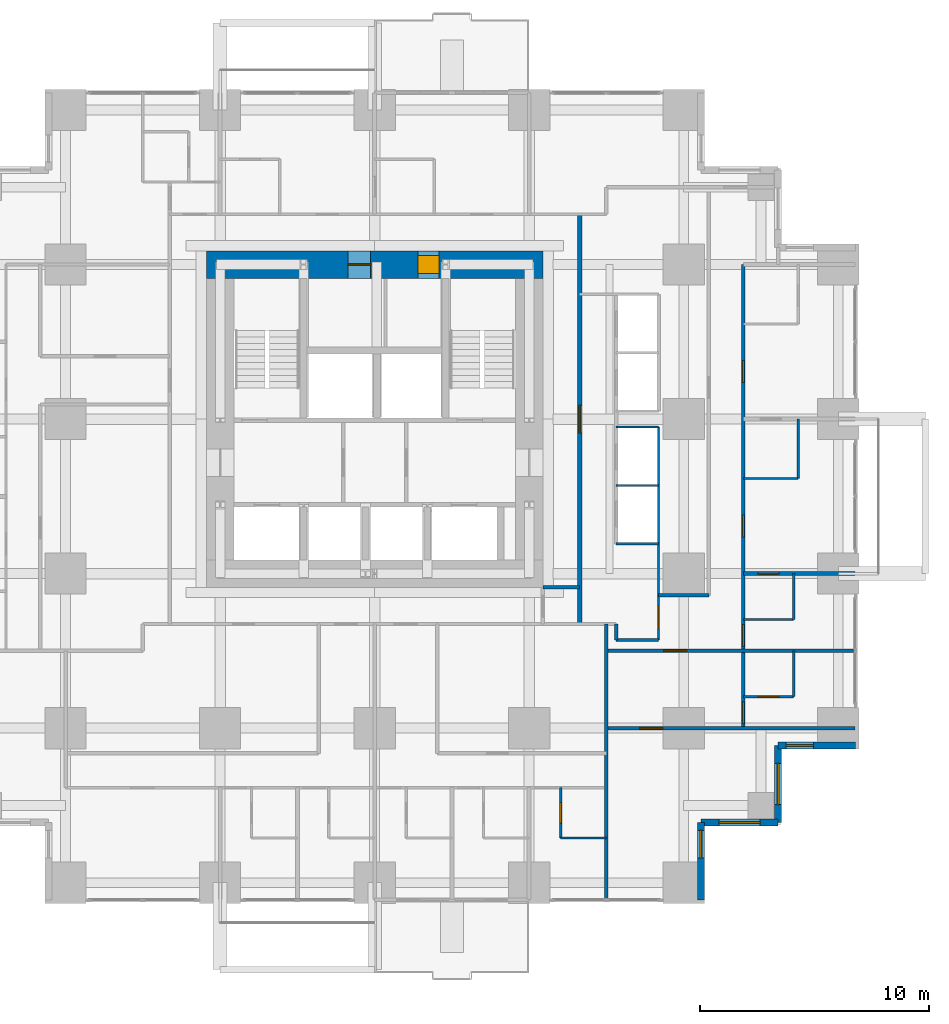
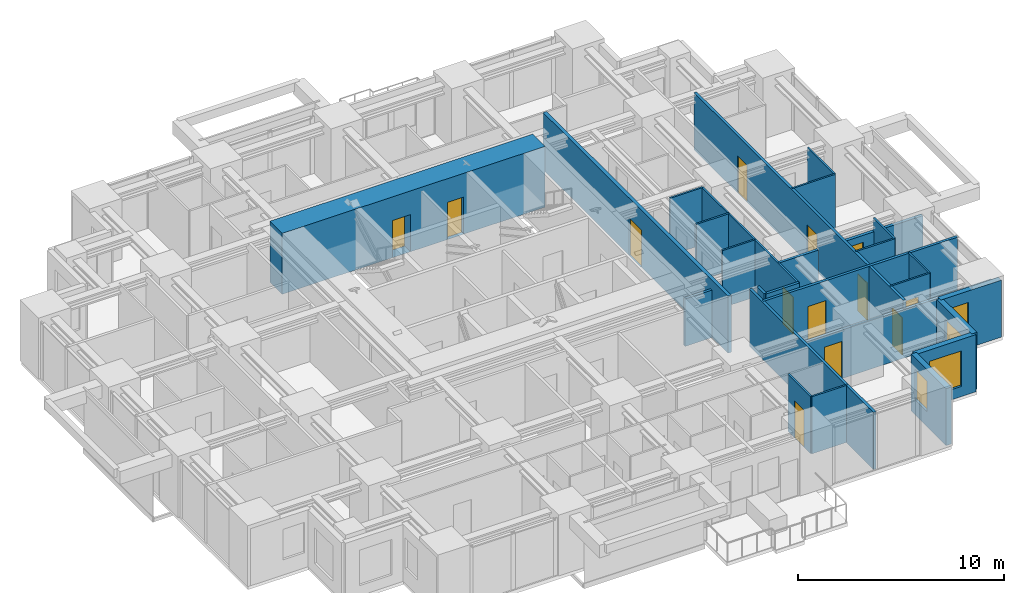
# One storey, part 9 of 12: 27 walls, 13 doors, 4 windows, 17 openings.
"""IFC4 building model written with IfcOpenShell, lengths in metres."""

from ifc_helpers import new_model, si_unit, direction, frame, frame_2d, origin, place, context, subcontext, project, spatial, rectangle, extrude, material, layer, layer_set, type_object, element, fill, save


model = new_model("IFC4")

# Units and contexts
model_context = context("Model", 3, precision=1e-05, world=origin(), true_north=direction((0.0, 1.0)))
body_context = subcontext(model_context, "Body", "Model", "MODEL_VIEW")
ifc_project = project(units=[si_unit("LENGTHUNIT", "METRE"), si_unit("AREAUNIT", "SQUARE_METRE"), si_unit("VOLUMEUNIT", "CUBIC_METRE"), si_unit("PLANEANGLEUNIT", "RADIAN"), si_unit("MASSUNIT", "GRAM", prefix="KILO")], contexts=[model_context])

# Site, building, storey
site_placement = place(None, origin())
site = spatial("IfcSite", under=ifc_project, at=site_placement, CompositionType="ELEMENT")
building_placement = place(site_placement, origin())
building = spatial("IfcBuilding", under=site, at=building_placement, Name="Nyansa Garden Tower", CompositionType="ELEMENT")
storey_placement = place(building_placement, frame((0.0, 0.0, 90.89990234375)))
storey = spatial("IfcBuildingStorey", under=building, at=storey_placement, Name="L24", CompositionType="ELEMENT", Elevation=90.89990234375)

# Wall, opening, door
ifc_material_1 = material(Name="Dense blockwork, plastered both sides, 55 dB", Category="masonry")
ifc_layer_1 = layer(ifc_material_1, 0.175048828125)
ifc_layer_set_1 = layer_set([ifc_layer_1], Name="Acoustic party wall PW175")
wall_type_1 = type_object("IfcWallType", Name="Acoustic party wall PW175", PredefinedType="PARTITIONING", material=ifc_layer_set_1)
wall_1_placement = place(storey_placement, frame((36.35009765625, 13.5, 0.0), z_axis=(0.0, 0.0, 1.0), x_axis=(1.0, 0.0, 0.0)))
wall_1 = element("IfcWall", 1, at=wall_1_placement, inside=storey, type_object=wall_type_1, Name="Party wall", PredefinedType="PARTITIONING", context=body_context, shape_type="SweptSolid", body=[
    extrude(rectangle(XDim=4.8837890625, YDim=0.175048828125, at=frame_2d((2.44189453125, 0.0))), origin(), (0.0, 0.0, 1.0), 2.610107421875),
])
opening_1_placement = place(wall_1_placement, frame((0.64990234375, 0.0, 0.0)))
opening_1 = element("IfcOpeningElement", 2, at=opening_1_placement, cuts=wall_1, Name="Opening D02", PredefinedType="OPENING", context=body_context, shape_type="SweptSolid", body=[
    extrude(rectangle(XDim=0.89990234375, YDim=2.199951171875, at=frame_2d((0.449951171875, 1.10009765625))), frame((0.0, 0.097412109375, 0.0), z_axis=(0.0, -1.0, 0.0), x_axis=(1.0, 0.0, 0.0)), (0.0, 0.0, 1.0), 0.195068359375),
])
ifc_material_2 = material(Name="Timber flush door", Category="wood")
door_type_1 = type_object("IfcDoorType", Name="En-suite door D02 900x2200", OperationType="SINGLE_SWING_RIGHT", PredefinedType="DOOR", material=ifc_material_2)
door_1_placement = place(opening_1_placement, origin())
door_1 = element("IfcDoor", 3, at=door_1_placement, inside=storey, type_object=door_type_1, Name="Door L24-041", OperationType="SINGLE_SWING_RIGHT", OverallHeight=2.199951171875, OverallWidth=0.89990234375, PredefinedType="DOOR", context=body_context, shape_type="SweptSolid", body=[
    extrude(rectangle(XDim=0.89990234375, YDim=2.199951171875, at=frame_2d((0.449951171875, 1.10009765625))), frame((0.0, 0.02490234375, 0.0), z_axis=(0.0, -1.0, 0.0), x_axis=(1.0, 0.0, 0.0)), (0.0, 0.0, 1.0), 0.050048828125),
])
fill(opening_1, door_1)

# Wall, openings, doors
ifc_material_3 = material(Name="Concrete C80/95", Category="concrete")
ifc_layer_2 = layer(ifc_material_3, 1.199951171875)
ifc_layer_set_2 = layer_set([ifc_layer_2], Name="Core wall CW1200")
wall_type_2 = type_object("IfcWallType", Name="Core wall CW1200", PredefinedType="SHEAR", material=ifc_layer_set_2)
wall_2_placement = place(storey_placement, frame((27.60009765625, 27.0, 0.0), z_axis=(0.0, 0.0, 1.0), x_axis=(-1.0, 0.0, 0.0)))
wall_2 = element("IfcWall", 4, at=wall_2_placement, inside=storey, type_object=wall_type_2, Name="Core wall N L24", PredefinedType="SHEAR", context=body_context, shape_type="SweptSolid", body=[
    extrude(rectangle(XDim=14.7001953125, YDim=1.199951171875, at=frame_2d((7.35009765625, 0.0))), origin(), (0.0, 0.0, 1.0), 3.60009765625),
])
opening_2_placement = place(wall_2_placement, frame((4.550048828125, 0.0, 0.0)))
opening_2 = element("IfcOpeningElement", 5, at=opening_2_placement, cuts=wall_2, Name="Opening D15", PredefinedType="OPENING", context=body_context, shape_type="SweptSolid", body=[
    extrude(rectangle(XDim=0.89990234375, YDim=2.199951171875, at=frame_2d((0.449951171875, 1.10009765625))), frame((0.0, 0.60986328125, 0.0), z_axis=(0.0, -1.0, 0.0), x_axis=(1.0, 0.0, 0.0)), (0.0, 0.0, 1.0), 1.219970703125),
])
opening_3_placement = place(wall_2_placement, frame((7.52490234375, 0.0, 0.0)))
opening_3 = element("IfcOpeningElement", 6, at=opening_3_placement, cuts=wall_2, Name="Opening D07", PredefinedType="OPENING", context=body_context, shape_type="SweptSolid", body=[
    extrude(rectangle(XDim=1.0, YDim=2.199951171875, at=frame_2d((0.5, 1.10009765625))), frame((0.0, 0.60986328125, 0.0), z_axis=(0.0, -1.0, 0.0), x_axis=(1.0, 0.0, 0.0)), (0.0, 0.0, 1.0), 1.219970703125),
])
ifc_material_4 = material(Name="Timber flush door, 60 minute fire resisting, self-closing", Category="wood")
door_type_2 = type_object("IfcDoorType", Name="Core room door D15 900x2200", OperationType="SINGLE_SWING_LEFT", PredefinedType="DOOR", material=ifc_material_4)
door_2_placement = place(opening_2_placement, origin())
door_2 = element("IfcDoor", 7, at=door_2_placement, inside=storey, type_object=door_type_2, Name="Core room door", OperationType="SINGLE_SWING_LEFT", OverallHeight=2.199951171875, OverallWidth=0.89990234375, PredefinedType="DOOR", context=body_context, shape_type="SweptSolid", body=[
    extrude(rectangle(XDim=0.89990234375, YDim=2.199951171875, at=frame_2d((0.449951171875, 1.10009765625))), frame((0.0, 0.39990234375, 0.0), z_axis=(0.0, -1.0, 0.0), x_axis=(1.0, 0.0, 0.0)), (0.0, 0.0, 1.0), 0.800048828125),
])
fill(opening_2, door_2)
ifc_material_5 = material(Name="Steel door, 120 minute fire resisting", Category="steel")
door_type_3 = type_object("IfcDoorType", Name="Riser door D07 1000x2200", OperationType="SINGLE_SWING_LEFT", PredefinedType="DOOR", material=ifc_material_5)
door_3_placement = place(opening_3_placement, origin())
door_3 = element("IfcDoor", 8, at=door_3_placement, inside=storey, type_object=door_type_3, Name="Riser and refuse room door", OperationType="SINGLE_SWING_LEFT", OverallHeight=2.199951171875, OverallWidth=1.0, PredefinedType="DOOR", context=body_context, shape_type="SweptSolid", body=[
    extrude(rectangle(XDim=1.0, YDim=2.199951171875, at=frame_2d((0.5, 1.10009765625))), frame((0.0, 0.02490234375, 0.0), z_axis=(0.0, -1.0, 0.0), x_axis=(1.0, 0.0, 0.0)), (0.0, 0.0, 1.0), 0.050048828125),
])
fill(opening_3, door_3)

# Wall, opening, door
ifc_material_6 = material(Name="Concrete blockwork, plastered, 60 minute fire resisting", Category="masonry")
ifc_layer_3 = layer(ifc_material_6, 0.199951171875)
ifc_layer_set_3 = layer_set([ifc_layer_3], Name="Corridor wall FW200")
wall_type_3 = type_object("IfcWallType", Name="Corridor wall FW200", PredefinedType="PARTITIONING", material=ifc_layer_set_3)
wall_3_placement = place(storey_placement, frame((29.199951171875, 11.300048828125, 0.0), z_axis=(0.0, 0.0, 1.0), x_axis=(0.0, 1.0, 0.0)))
wall_3 = element("IfcWall", 9, at=wall_3_placement, inside=storey, type_object=wall_type_3, Name="Corridor wall", PredefinedType="PARTITIONING", context=body_context, shape_type="SweptSolid", body=[
    extrude(rectangle(XDim=17.89990234375, YDim=0.199951171875, at=frame_2d((8.949951171875, 0.0))), origin(), (0.0, 0.0, 1.0), 3.375),
])
opening_4_placement = place(wall_3_placement, frame((8.35009765625, 0.0, 0.0)))
opening_4 = element("IfcOpeningElement", 10, at=opening_4_placement, cuts=wall_3, Name="Opening D06", PredefinedType="OPENING", context=body_context, shape_type="SweptSolid", body=[
    extrude(rectangle(XDim=1.199951171875, YDim=2.199951171875, at=frame_2d((0.60009765625, 1.10009765625))), frame((0.0, 0.10986328125, 0.0), z_axis=(0.0, -1.0, 0.0), x_axis=(1.0, 0.0, 0.0)), (0.0, 0.0, 1.0), 0.219970703125),
])
ifc_material_7 = material(Name="Steel door, 120 minute fire resisting", Category="steel")
door_type_4 = type_object("IfcDoorType", Name="Lobby door D06 1200x2200", OperationType="DOUBLE_DOOR_SINGLE_SWING", PredefinedType="DOOR", material=ifc_material_7)
door_4_placement = place(opening_4_placement, origin())
door_4 = element("IfcDoor", 11, at=door_4_placement, inside=storey, type_object=door_type_4, Name="Low-rise lift lobby door", OperationType="DOUBLE_DOOR_SINGLE_SWING", OverallHeight=2.199951171875, OverallWidth=1.199951171875, PredefinedType="DOOR", context=body_context, shape_type="SweptSolid", body=[
    extrude(rectangle(XDim=1.199951171875, YDim=2.199951171875, at=frame_2d((0.60009765625, 1.10009765625))), frame((0.0, 0.02490234375, 0.0), z_axis=(0.0, -1.0, 0.0), x_axis=(1.0, 0.0, 0.0)), (0.0, 0.0, 1.0), 0.050048828125),
])
fill(opening_4, door_4)

# Walls
ifc_material_8 = material(Name="Steel-stud shaft wall, two layers fire-rated board, EI 120", Category="steel")
ifc_layer_4 = layer(ifc_material_8, 0.10009765625)
ifc_layer_set_4 = layer_set([ifc_layer_4], Name="Lift shaft wall SW100")
wall_type_4 = type_object("IfcWallType", Name="Lift shaft wall SW100", PredefinedType="SHEAR", material=ifc_layer_set_4)
for number, where, z_axis, x_axis, name in (
    (12, (30.800048828125, 14.800048828125, 0.0), (0.0, 0.0, 1.0), (1.0, 0.0, 0.0), "Lift shaft wall"),
    (13, (30.800048828125, 17.35009765625, 0.0), (0.0, 0.0, 1.0), (1.0, 0.0, 0.0), "Lift shaft wall"),
    (14, (30.800048828125, 19.89990234375, 0.0), (0.0, 0.0, 1.0), (1.0, 0.0, 0.0), "Lift shaft wall"),
):
    element("IfcWall", number, at=place(storey_placement, frame(where, z_axis=z_axis, x_axis=x_axis)), inside=storey, type_object=wall_type_4, Name=name, PredefinedType="SHEAR", context=body_context, shape_type="SweptSolid", body=[
        extrude(rectangle(XDim=1.849853515625, YDim=0.10009765625, at=frame_2d((0.9248046875, 0.0))), origin(), (0.0, 0.0, 1.0), 3.375),
    ])

# Wall, opening, door
wall_4_placement = place(storey_placement, frame((32.64990234375, 10.60009765625, 0.0), z_axis=(0.0, 0.0, 1.0), x_axis=(0.0, 1.0, 0.0)))
wall_4 = element("IfcWall", 15, at=wall_4_placement, inside=storey, type_object=wall_type_4, Name="Lift shaft wall", PredefinedType="SHEAR", context=body_context, shape_type="SweptSolid", body=[
    extrude(rectangle(XDim=9.2998046875, YDim=0.10009765625, at=frame_2d((4.64990234375, 0.0))), origin(), (0.0, 0.0, 1.0), 3.375),
])
opening_5_placement = place(wall_4_placement, frame((0.5, 0.0, 0.0)))
opening_5 = element("IfcOpeningElement", 16, at=opening_5_placement, cuts=wall_4, Name="Opening D03", PredefinedType="OPENING", context=body_context, shape_type="SweptSolid", body=[
    extrude(rectangle(XDim=1.0, YDim=2.199951171875, at=frame_2d((0.5, 1.10009765625))), frame((0.0, 0.06005859375, 0.0), z_axis=(0.0, -1.0, 0.0), x_axis=(1.0, 0.0, 0.0)), (0.0, 0.0, 1.0), 0.1201171875),
])
ifc_material_9 = material(Name="Timber flush door, 60 minute fire resisting", Category="wood")
door_type_5 = type_object("IfcDoorType", Name="Cluster entrance door D03 1000x2200", OperationType="SINGLE_SWING_LEFT", PredefinedType="DOOR", material=ifc_material_9)
door_5_placement = place(opening_5_placement, origin())
door_5 = element("IfcDoor", 17, at=door_5_placement, inside=storey, type_object=door_type_5, Name="Door L24-042", OperationType="SINGLE_SWING_LEFT", OverallHeight=2.199951171875, OverallWidth=1.0, PredefinedType="DOOR", context=body_context, shape_type="SweptSolid", body=[
    extrude(rectangle(XDim=1.0, YDim=2.199951171875, at=frame_2d((0.5, 1.10009765625))), frame((0.0, 0.02490234375, 0.0), z_axis=(0.0, -1.0, 0.0), x_axis=(1.0, 0.0, 0.0)), (0.0, 0.0, 1.0), 0.050048828125),
])
fill(opening_5, door_5)

# Walls
ifc_material_10 = material(Name="Blockwork, plastered both sides", Category="masonry")
ifc_layer_5 = layer(ifc_material_10, 0.14990234375)
ifc_layer_set_5 = layer_set([ifc_layer_5], Name="Partition PW150")
wall_type_5 = type_object("IfcWallType", Name="Partition PW150", PredefinedType="PARTITIONING", material=ifc_layer_set_5)
wall_5_placement = place(storey_placement, frame((27.60009765625, 12.89990234375, 0.0), z_axis=(0.0, 0.0, 1.0), x_axis=(1.0, 0.0, 0.0)))
element("IfcWall", 18, at=wall_5_placement, inside=storey, type_object=wall_type_5, Name="Partition", PredefinedType="PARTITIONING", context=body_context, shape_type="SweptSolid", body=[
    extrude(rectangle(XDim=1.599853515625, YDim=0.14990234375, at=frame_2d((0.7998046875, 0.0))), origin(), (0.0, 0.0, 1.0), 2.80615234375),
])
wall_6_placement = place(storey_placement, frame((30.375, -0.73388671875, 0.0), z_axis=(0.0, 0.0, 1.0), x_axis=(0.0, 1.0, 0.0)))
element("IfcWall", 19, at=wall_6_placement, inside=storey, type_object=wall_type_5, Name="Partition", PredefinedType="PARTITIONING", context=body_context, shape_type="SweptSolid", body=[
    extrude(rectangle(XDim=12.033935546875, YDim=0.14990234375, at=frame_2d((6.01708984375, 0.0))), origin(), (0.0, 0.0, 1.0), 3.375),
])

# Wall, opening, door
wall_7_placement = place(storey_placement, frame((30.375, 6.75, 0.0), z_axis=(0.0, 0.0, 1.0), x_axis=(1.0, 0.0, 0.0)))
wall_7 = element("IfcWall", 20, at=wall_7_placement, inside=storey, type_object=wall_type_5, Name="Partition", PredefinedType="PARTITIONING", context=body_context, shape_type="SweptSolid", body=[
    extrude(rectangle(XDim=10.85888671875, YDim=0.14990234375, at=frame_2d((5.429443359375, 0.0))), origin(), (0.0, 0.0, 1.0), 2.877197265625),
])
opening_6_placement = place(wall_7_placement, frame((1.449951171875, 0.0, 0.0)))
opening_6 = element("IfcOpeningElement", 21, at=opening_6_placement, cuts=wall_7, Name="Opening D03", PredefinedType="OPENING", context=body_context, shape_type="SweptSolid", body=[
    extrude(rectangle(XDim=1.0, YDim=2.199951171875, at=frame_2d((0.5, 1.10009765625))), frame((0.0, 0.0849609375, 0.0), z_axis=(0.0, -1.0, 0.0), x_axis=(1.0, 0.0, 0.0)), (0.0, 0.0, 1.0), 0.169921875),
])
door_6_placement = place(opening_6_placement, origin())
door_6 = element("IfcDoor", 22, at=door_6_placement, inside=storey, type_object=door_type_5, Name="Door L24-032", OperationType="SINGLE_SWING_LEFT", OverallHeight=2.199951171875, OverallWidth=1.0, PredefinedType="DOOR", context=body_context, shape_type="SweptSolid", body=[
    extrude(rectangle(XDim=1.0, YDim=2.199951171875, at=frame_2d((0.5, 1.10009765625))), frame((0.0, 0.02490234375, 0.0), z_axis=(0.0, -1.0, 0.0), x_axis=(1.0, 0.0, 0.0)), (0.0, 0.0, 1.0), 0.050048828125),
])
fill(opening_6, door_6)

wall_8_placement = place(storey_placement, frame((30.375, 10.125, 0.0), z_axis=(0.0, 0.0, 1.0), x_axis=(1.0, 0.0, 0.0)))
wall_8 = element("IfcWall", 23, at=wall_8_placement, inside=storey, type_object=wall_type_5, Name="Partition", PredefinedType="PARTITIONING", context=body_context, shape_type="SweptSolid", body=[
    extrude(rectangle(XDim=10.85888671875, YDim=0.14990234375, at=frame_2d((5.429443359375, 0.0))), origin(), (0.0, 0.0, 1.0), 3.375),
])
opening_7_placement = place(wall_8_placement, frame((2.5, 0.0, 0.0)))
opening_7 = element("IfcOpeningElement", 24, at=opening_7_placement, cuts=wall_8, Name="Opening D03", PredefinedType="OPENING", context=body_context, shape_type="SweptSolid", body=[
    extrude(rectangle(XDim=1.0, YDim=2.199951171875, at=frame_2d((0.5, 1.10009765625))), frame((0.0, 0.0849609375, 0.0), z_axis=(0.0, -1.0, 0.0), x_axis=(1.0, 0.0, 0.0)), (0.0, 0.0, 1.0), 0.169921875),
])
door_7_placement = place(opening_7_placement, origin())
door_7 = element("IfcDoor", 25, at=door_7_placement, inside=storey, type_object=door_type_5, Name="Door L24-035", OperationType="SINGLE_SWING_LEFT", OverallHeight=2.199951171875, OverallWidth=1.0, PredefinedType="DOOR", context=body_context, shape_type="SweptSolid", body=[
    extrude(rectangle(XDim=1.0, YDim=2.199951171875, at=frame_2d((0.5, 1.10009765625))), frame((0.0, 0.02490234375, 0.0), z_axis=(0.0, -1.0, 0.0), x_axis=(1.0, 0.0, 0.0)), (0.0, 0.0, 1.0), 0.050048828125),
])
fill(opening_7, door_7)

# Walls
wall_9_placement = place(storey_placement, frame((30.800048828125, 10.60009765625, 0.0), z_axis=(0.0, 0.0, 1.0), x_axis=(0.0, 1.0, 0.0)))
element("IfcWall", 26, at=wall_9_placement, inside=storey, type_object=wall_type_5, Name="Partition", PredefinedType="PARTITIONING", context=body_context, shape_type="SweptSolid", body=[
    extrude(rectangle(XDim=0.699951171875, YDim=0.14990234375, at=frame_2d((0.35009765625, 0.0))), origin(), (0.0, 0.0, 1.0), 3.375),
])
wall_10_placement = place(storey_placement, frame((30.800048828125, 10.60009765625, 0.0), z_axis=(0.0, 0.0, 1.0), x_axis=(1.0, 0.0, 0.0)))
element("IfcWall", 27, at=wall_10_placement, inside=storey, type_object=wall_type_5, Name="Partition", PredefinedType="PARTITIONING", context=body_context, shape_type="SweptSolid", body=[
    extrude(rectangle(XDim=1.849853515625, YDim=0.14990234375, at=frame_2d((0.9248046875, 0.0))), origin(), (0.0, 0.0, 1.0), 3.375),
])
wall_11_placement = place(storey_placement, frame((32.64990234375, 12.550048828125, 0.0), z_axis=(0.0, 0.0, 1.0), x_axis=(1.0, 0.0, 0.0)))
element("IfcWall", 28, at=wall_11_placement, inside=storey, type_object=wall_type_5, Name="Partition", PredefinedType="PARTITIONING", context=body_context, shape_type="SweptSolid", body=[
    extrude(rectangle(XDim=2.2001953125, YDim=0.14990234375, at=frame_2d((1.10009765625, 0.0))), origin(), (0.0, 0.0, 1.0), 3.375),
])

# Wall, openings, doors
wall_12_placement = place(storey_placement, frame((36.35009765625, 6.75, 0.0), z_axis=(0.0, 0.0, 1.0), x_axis=(0.0, 1.0, 0.0)))
wall_12 = element("IfcWall", 29, at=wall_12_placement, inside=storey, type_object=wall_type_5, Name="Partition", PredefinedType="PARTITIONING", context=body_context, shape_type="SweptSolid", body=[
    extrude(rectangle(XDim=20.25, YDim=0.14990234375, at=frame_2d((10.125, 0.0))), origin(), (0.0, 0.0, 1.0), 3.375),
])
opening_8_placement = place(wall_12_placement, frame((0.199951171875, 0.0, 0.0)))
opening_8 = element("IfcOpeningElement", 30, at=opening_8_placement, cuts=wall_12, Name="Opening D01", PredefinedType="OPENING", context=body_context, shape_type="SweptSolid", body=[
    extrude(rectangle(XDim=0.949951171875, YDim=2.199951171875, at=frame_2d((0.47509765625, 1.10009765625))), frame((0.0, 0.0849609375, 0.0), z_axis=(0.0, -1.0, 0.0), x_axis=(1.0, 0.0, 0.0)), (0.0, 0.0, 1.0), 0.169921875),
])
opening_9_placement = place(wall_12_placement, frame((15.10009765625, 0.0, 0.0)))
opening_9 = element("IfcOpeningElement", 31, at=opening_9_placement, cuts=wall_12, Name="Opening D14", PredefinedType="OPENING", context=body_context, shape_type="SweptSolid", body=[
    extrude(rectangle(XDim=0.949951171875, YDim=2.199951171875, at=frame_2d((0.47509765625, 1.10009765625))), frame((0.0, 0.0849609375, 0.0), z_axis=(0.0, -1.0, 0.0), x_axis=(1.0, 0.0, 0.0)), (0.0, 0.0, 1.0), 0.169921875),
])
opening_10_placement = place(wall_12_placement, frame((8.35009765625, 0.0, 0.0)))
opening_10 = element("IfcOpeningElement", 32, at=opening_10_placement, cuts=wall_12, Name="Opening D14", PredefinedType="OPENING", context=body_context, shape_type="SweptSolid", body=[
    extrude(rectangle(XDim=0.949951171875, YDim=2.199951171875, at=frame_2d((0.47509765625, 1.10009765625))), frame((0.0, 0.0849609375, 0.0), z_axis=(0.0, -1.0, 0.0), x_axis=(1.0, 0.0, 0.0)), (0.0, 0.0, 1.0), 0.169921875),
])
opening_11_placement = place(wall_12_placement, frame((3.574951171875, 0.0, 0.0)))
opening_11 = element("IfcOpeningElement", 33, at=opening_11_placement, cuts=wall_12, Name="Opening D14", PredefinedType="OPENING", context=body_context, shape_type="SweptSolid", body=[
    extrude(rectangle(XDim=0.949951171875, YDim=2.199951171875, at=frame_2d((0.47509765625, 1.10009765625))), frame((0.0, 0.0849609375, 0.0), z_axis=(0.0, -1.0, 0.0), x_axis=(1.0, 0.0, 0.0)), (0.0, 0.0, 1.0), 0.169921875),
])
ifc_material_11 = material(Name="Timber flush door, 30 minute fire resisting", Category="wood")
door_type_6 = type_object("IfcDoorType", Name="Bedroom door D01 950x2200", OperationType="SINGLE_SWING_LEFT", PredefinedType="DOOR", material=ifc_material_11)
door_8_placement = place(opening_8_placement, origin())
door_8 = element("IfcDoor", 34, at=door_8_placement, inside=storey, type_object=door_type_6, Name="Door L24-033", OperationType="SINGLE_SWING_LEFT", OverallHeight=2.199951171875, OverallWidth=0.949951171875, PredefinedType="DOOR", context=body_context, shape_type="SweptSolid", body=[
    extrude(rectangle(XDim=0.949951171875, YDim=2.199951171875, at=frame_2d((0.47509765625, 1.10009765625))), frame((0.0, 0.02490234375, 0.0), z_axis=(0.0, -1.0, 0.0), x_axis=(1.0, 0.0, 0.0)), (0.0, 0.0, 1.0), 0.050048828125),
])
fill(opening_8, door_8)
ifc_material_12 = material(Name="Timber flush door, 60 minute fire resisting, self-closing", Category="wood")
door_type_7 = type_object("IfcDoorType", Name="Studio entrance door D14 950x2200", OperationType="SINGLE_SWING_LEFT", PredefinedType="DOOR", material=ifc_material_12)
door_9_placement = place(opening_9_placement, origin())
door_9 = element("IfcDoor", 35, at=door_9_placement, inside=storey, type_object=door_type_7, Name="Door L24-036", OperationType="SINGLE_SWING_LEFT", OverallHeight=2.199951171875, OverallWidth=0.949951171875, PredefinedType="DOOR", context=body_context, shape_type="SweptSolid", body=[
    extrude(rectangle(XDim=0.949951171875, YDim=2.199951171875, at=frame_2d((0.47509765625, 1.10009765625))), frame((0.0, 0.02490234375, 0.0), z_axis=(0.0, -1.0, 0.0), x_axis=(1.0, 0.0, 0.0)), (0.0, 0.0, 1.0), 0.050048828125),
])
fill(opening_9, door_9)
door_10_placement = place(opening_10_placement, origin())
door_10 = element("IfcDoor", 36, at=door_10_placement, inside=storey, type_object=door_type_7, Name="Door L24-038", OperationType="SINGLE_SWING_LEFT", OverallHeight=2.199951171875, OverallWidth=0.949951171875, PredefinedType="DOOR", context=body_context, shape_type="SweptSolid", body=[
    extrude(rectangle(XDim=0.949951171875, YDim=2.199951171875, at=frame_2d((0.47509765625, 1.10009765625))), frame((0.0, 0.02490234375, 0.0), z_axis=(0.0, -1.0, 0.0), x_axis=(1.0, 0.0, 0.0)), (0.0, 0.0, 1.0), 0.050048828125),
])
fill(opening_10, door_10)
door_11_placement = place(opening_11_placement, origin())
door_11 = element("IfcDoor", 37, at=door_11_placement, inside=storey, type_object=door_type_7, Name="Door L24-040", OperationType="SINGLE_SWING_LEFT", OverallHeight=2.199951171875, OverallWidth=0.949951171875, PredefinedType="DOOR", context=body_context, shape_type="SweptSolid", body=[
    extrude(rectangle(XDim=0.949951171875, YDim=2.199951171875, at=frame_2d((0.47509765625, 1.10009765625))), frame((0.0, 0.02490234375, 0.0), z_axis=(0.0, -1.0, 0.0), x_axis=(1.0, 0.0, 0.0)), (0.0, 0.0, 1.0), 0.050048828125),
])
fill(opening_11, door_11)

# Wall, opening, window
ifc_material_13 = material(Name="Turquoise glazed tile on concrete blockwork", Category="masonry")
ifc_layer_6 = layer(ifc_material_13, 0.300048828125)
ifc_layer_set_6 = layer_set([ifc_layer_6], Name="Tiled corner wall TW300")
wall_type_6 = type_object("IfcWallType", Name="Tiled corner wall TW300", PredefinedType="SOLIDWALL", material=ifc_layer_set_6)
wall_13_placement = place(storey_placement, frame((34.5, -0.75, 0.0), z_axis=(0.0, 0.0, 1.0), x_axis=(0.0, 1.0, 0.0)))
wall_13 = element("IfcWall", 38, at=wall_13_placement, inside=storey, type_object=wall_type_6, Name="Tiled corner wall L24", PredefinedType="SOLIDWALL", context=body_context, shape_type="SweptSolid", body=[
    extrude(rectangle(XDim=3.375, YDim=0.300048828125, at=frame_2d((1.6875, 0.0))), origin(), (0.0, 0.0, 1.0), 3.375),
])
opening_12_placement = place(wall_13_placement, frame((1.83251953125, 0.0, 0.89990234375)))
opening_12 = element("IfcOpeningElement", 39, at=opening_12_placement, cuts=wall_13, Name="Opening W4", PredefinedType="OPENING", context=body_context, shape_type="SweptSolid", body=[
    extrude(rectangle(XDim=1.199951171875, YDim=1.800048828125, at=frame_2d((0.60009765625, 0.89990234375))), frame((0.0, 0.159912109375, 0.0), z_axis=(0.0, -1.0, 0.0), x_axis=(1.0, 0.0, 0.0)), (0.0, 0.0, 1.0), 0.320068359375),
])
ifc_material_14 = material(Name="Black aluminium frame, dark tinted double glazing", Category="aluminium")
window_type_1 = type_object("IfcWindowType", Name="Window W4 1200x1800", PartitioningType="SINGLE_PANEL", PredefinedType="WINDOW", material=ifc_material_14)
window_1_placement = place(opening_12_placement, origin())
window_1 = element("IfcWindow", 40, at=window_1_placement, inside=storey, type_object=window_type_1, Name="Corner window L24", OverallHeight=1.800048828125, OverallWidth=1.199951171875, PartitioningType="SINGLE_PANEL", PredefinedType="WINDOW", context=body_context, shape_type="SweptSolid", body=[
    extrude(rectangle(XDim=1.199951171875, YDim=1.800048828125, at=frame_2d((0.60009765625, 0.89990234375))), frame((0.0, 0.030029296875, 0.0), z_axis=(0.0, -1.0, 0.0), x_axis=(1.0, 0.0, 0.0)), (0.0, 0.0, 1.0), 0.06005859375),
])
fill(opening_12, window_1)

wall_14_placement = place(storey_placement, frame((34.5, 2.625, 0.0), z_axis=(0.0, 0.0, 1.0), x_axis=(1.0, 0.0, 0.0)))
wall_14 = element("IfcWall", 41, at=wall_14_placement, inside=storey, type_object=wall_type_6, Name="Tiled corner wall L24", PredefinedType="SOLIDWALL", context=body_context, shape_type="SweptSolid", body=[
    extrude(rectangle(XDim=3.375, YDim=0.300048828125, at=frame_2d((1.6875, 0.0))), origin(), (0.0, 0.0, 1.0), 3.375),
])
opening_13_placement = place(wall_14_placement, frame((0.78759765625, 0.0, 0.60009765625)))
opening_13 = element("IfcOpeningElement", 42, at=opening_13_placement, cuts=wall_14, Name="Opening W2", PredefinedType="OPENING", context=body_context, shape_type="SweptSolid", body=[
    extrude(rectangle(XDim=1.800048828125, YDim=2.10009765625, at=frame_2d((0.89990234375, 1.050048828125))), frame((0.0, 0.159912109375, 0.0), z_axis=(0.0, -1.0, 0.0), x_axis=(1.0, 0.0, 0.0)), (0.0, 0.0, 1.0), 0.320068359375),
])
ifc_material_15 = material(Name="Black aluminium frame, dark tinted double glazing", Category="aluminium")
window_type_2 = type_object("IfcWindowType", Name="Window W2 1800x2100", PartitioningType="SINGLE_PANEL", PredefinedType="WINDOW", material=ifc_material_15)
window_2_placement = place(opening_13_placement, origin())
window_2 = element("IfcWindow", 43, at=window_2_placement, inside=storey, type_object=window_type_2, Name="Corner window L24", OverallHeight=2.10009765625, OverallWidth=1.800048828125, PartitioningType="SINGLE_PANEL", PredefinedType="WINDOW", context=body_context, shape_type="SweptSolid", body=[
    extrude(rectangle(XDim=1.800048828125, YDim=2.10009765625, at=frame_2d((0.89990234375, 1.050048828125))), frame((0.0, 0.030029296875, 0.0), z_axis=(0.0, -1.0, 0.0), x_axis=(1.0, 0.0, 0.0)), (0.0, 0.0, 1.0), 0.06005859375),
])
fill(opening_13, window_2)

wall_15_placement = place(storey_placement, frame((37.875, 2.625, 0.0), z_axis=(0.0, 0.0, 1.0), x_axis=(0.0, 1.0, 0.0)))
wall_15 = element("IfcWall", 44, at=wall_15_placement, inside=storey, type_object=wall_type_6, Name="Tiled corner wall L24", PredefinedType="SOLIDWALL", context=body_context, shape_type="SweptSolid", body=[
    extrude(rectangle(XDim=3.375, YDim=0.300048828125, at=frame_2d((1.6875, 0.0))), origin(), (0.0, 0.0, 1.0), 3.375),
])
opening_14_placement = place(wall_15_placement, frame((0.78759765625, 0.0, 0.60009765625)))
opening_14 = element("IfcOpeningElement", 45, at=opening_14_placement, cuts=wall_15, Name="Opening W2", PredefinedType="OPENING", context=body_context, shape_type="SweptSolid", body=[
    extrude(rectangle(XDim=1.800048828125, YDim=2.10009765625, at=frame_2d((0.89990234375, 1.050048828125))), frame((0.0, 0.159912109375, 0.0), z_axis=(0.0, -1.0, 0.0), x_axis=(1.0, 0.0, 0.0)), (0.0, 0.0, 1.0), 0.320068359375),
])
window_3_placement = place(opening_14_placement, origin())
window_3 = element("IfcWindow", 46, at=window_3_placement, inside=storey, type_object=window_type_2, Name="Corner window L24", OverallHeight=2.10009765625, OverallWidth=1.800048828125, PartitioningType="SINGLE_PANEL", PredefinedType="WINDOW", context=body_context, shape_type="SweptSolid", body=[
    extrude(rectangle(XDim=1.800048828125, YDim=2.10009765625, at=frame_2d((0.89990234375, 1.050048828125))), frame((0.0, 0.030029296875, 0.0), z_axis=(0.0, -1.0, 0.0), x_axis=(1.0, 0.0, 0.0)), (0.0, 0.0, 1.0), 0.06005859375),
])
fill(opening_14, window_3)

wall_16_placement = place(storey_placement, frame((37.875, 6.0, 0.0), z_axis=(0.0, 0.0, 1.0), x_axis=(1.0, 0.0, 0.0)))
wall_16 = element("IfcWall", 47, at=wall_16_placement, inside=storey, type_object=wall_type_6, Name="Tiled corner wall L24", PredefinedType="SOLIDWALL", context=body_context, shape_type="SweptSolid", body=[
    extrude(rectangle(XDim=3.375, YDim=0.300048828125, at=frame_2d((1.6875, 0.0))), origin(), (0.0, 0.0, 1.0), 3.375),
])
opening_15_placement = place(wall_16_placement, frame((0.342529296875, 0.0, 0.89990234375)))
opening_15 = element("IfcOpeningElement", 48, at=opening_15_placement, cuts=wall_16, Name="Opening W4", PredefinedType="OPENING", context=body_context, shape_type="SweptSolid", body=[
    extrude(rectangle(XDim=1.199951171875, YDim=1.800048828125, at=frame_2d((0.60009765625, 0.89990234375))), frame((0.0, 0.159912109375, 0.0), z_axis=(0.0, -1.0, 0.0), x_axis=(1.0, 0.0, 0.0)), (0.0, 0.0, 1.0), 0.320068359375),
])
window_4_placement = place(opening_15_placement, origin())
window_4 = element("IfcWindow", 49, at=window_4_placement, inside=storey, type_object=window_type_1, Name="Corner window L24", OverallHeight=1.800048828125, OverallWidth=1.199951171875, PartitioningType="SINGLE_PANEL", PredefinedType="WINDOW", context=body_context, shape_type="SweptSolid", body=[
    extrude(rectangle(XDim=1.199951171875, YDim=1.800048828125, at=frame_2d((0.60009765625, 0.89990234375))), frame((0.0, 0.030029296875, 0.0), z_axis=(0.0, -1.0, 0.0), x_axis=(1.0, 0.0, 0.0)), (0.0, 0.0, 1.0), 0.06005859375),
])
fill(opening_15, window_4)

# Wall, opening, door
ifc_material_16 = material(Name="Moisture resistant board on steel studs, tiled", Category="steel")
ifc_layer_7 = layer(ifc_material_16, 0.10009765625)
ifc_layer_set_7 = layer_set([ifc_layer_7], Name="Wet wall PW100")
wall_type_7 = type_object("IfcWallType", Name="Wet wall PW100", PredefinedType="PARTITIONING", material=ifc_layer_set_7)
wall_17_placement = place(storey_placement, frame((28.375, 1.949951171875, 0.0), z_axis=(0.0, 0.0, 1.0), x_axis=(0.0, 1.0, 0.0)))
wall_17 = element("IfcWall", 50, at=wall_17_placement, inside=storey, type_object=wall_type_7, Name="Wet wall", PredefinedType="PARTITIONING", context=body_context, shape_type="SweptSolid", body=[
    extrude(rectangle(XDim=2.199951171875, YDim=0.10009765625, at=frame_2d((1.10009765625, 0.0))), origin(), (0.0, 0.0, 1.0), 3.375),
])
opening_16_placement = place(wall_17_placement, frame((0.64990234375, 0.0, 0.0)))
opening_16 = element("IfcOpeningElement", 51, at=opening_16_placement, cuts=wall_17, Name="Opening D02", PredefinedType="OPENING", context=body_context, shape_type="SweptSolid", body=[
    extrude(rectangle(XDim=0.89990234375, YDim=2.199951171875, at=frame_2d((0.449951171875, 1.10009765625))), frame((0.0, 0.06005859375, 0.0), z_axis=(0.0, -1.0, 0.0), x_axis=(1.0, 0.0, 0.0)), (0.0, 0.0, 1.0), 0.1201171875),
])
door_12_placement = place(opening_16_placement, origin())
door_12 = element("IfcDoor", 52, at=door_12_placement, inside=storey, type_object=door_type_1, Name="Door L24-028", OperationType="SINGLE_SWING_RIGHT", OverallHeight=2.199951171875, OverallWidth=0.89990234375, PredefinedType="DOOR", context=body_context, shape_type="SweptSolid", body=[
    extrude(rectangle(XDim=0.89990234375, YDim=2.199951171875, at=frame_2d((0.449951171875, 1.10009765625))), frame((0.0, 0.02490234375, 0.0), z_axis=(0.0, -1.0, 0.0), x_axis=(1.0, 0.0, 0.0)), (0.0, 0.0, 1.0), 0.050048828125),
])
fill(opening_16, door_12)

# Wall
wall_18_placement = place(storey_placement, frame((28.375, 1.949951171875, 0.0), z_axis=(0.0, 0.0, 1.0), x_axis=(1.0, 0.0, 0.0)))
element("IfcWall", 53, at=wall_18_placement, inside=storey, type_object=wall_type_7, Name="Wet wall", PredefinedType="PARTITIONING", context=body_context, shape_type="SweptSolid", body=[
    extrude(rectangle(XDim=2.0, YDim=0.10009765625, at=frame_2d((1.0, 0.0))), origin(), (0.0, 0.0, 1.0), 3.375),
])

# Wall, opening, door
wall_19_placement = place(storey_placement, frame((36.35009765625, 8.125, 0.0), z_axis=(0.0, 0.0, 1.0), x_axis=(1.0, 0.0, 0.0)))
wall_19 = element("IfcWall", 54, at=wall_19_placement, inside=storey, type_object=wall_type_7, Name="Wet wall", PredefinedType="PARTITIONING", context=body_context, shape_type="SweptSolid", body=[
    extrude(rectangle(XDim=2.199951171875, YDim=0.10009765625, at=frame_2d((1.10009765625, 0.0))), origin(), (0.0, 0.0, 1.0), 3.375),
])
opening_17_placement = place(wall_19_placement, frame((0.64990234375, 0.0, 0.0)))
opening_17 = element("IfcOpeningElement", 55, at=opening_17_placement, cuts=wall_19, Name="Opening D02", PredefinedType="OPENING", context=body_context, shape_type="SweptSolid", body=[
    extrude(rectangle(XDim=0.89990234375, YDim=2.199951171875, at=frame_2d((0.449951171875, 1.10009765625))), frame((0.0, 0.06005859375, 0.0), z_axis=(0.0, -1.0, 0.0), x_axis=(1.0, 0.0, 0.0)), (0.0, 0.0, 1.0), 0.1201171875),
])
door_13_placement = place(opening_17_placement, origin())
door_13 = element("IfcDoor", 56, at=door_13_placement, inside=storey, type_object=door_type_1, Name="Door L24-034", OperationType="SINGLE_SWING_RIGHT", OverallHeight=2.199951171875, OverallWidth=0.89990234375, PredefinedType="DOOR", context=body_context, shape_type="SweptSolid", body=[
    extrude(rectangle(XDim=0.89990234375, YDim=2.199951171875, at=frame_2d((0.449951171875, 1.10009765625))), frame((0.0, 0.02490234375, 0.0), z_axis=(0.0, -1.0, 0.0), x_axis=(1.0, 0.0, 0.0)), (0.0, 0.0, 1.0), 0.050048828125),
])
fill(opening_17, door_13)

# Walls
wall_20_placement = place(storey_placement, frame((36.35009765625, 11.5, 0.0), z_axis=(0.0, 0.0, 1.0), x_axis=(1.0, 0.0, 0.0)))
element("IfcWall", 57, at=wall_20_placement, inside=storey, type_object=wall_type_7, Name="Wet wall", PredefinedType="PARTITIONING", context=body_context, shape_type="SweptSolid", body=[
    extrude(rectangle(XDim=2.199951171875, YDim=0.10009765625, at=frame_2d((1.10009765625, 0.0))), origin(), (0.0, 0.0, 1.0), 3.375),
])
wall_21_placement = place(storey_placement, frame((36.35009765625, 17.64990234375, 0.0), z_axis=(0.0, 0.0, 1.0), x_axis=(1.0, 0.0, 0.0)))
element("IfcWall", 58, at=wall_21_placement, inside=storey, type_object=wall_type_7, Name="Wet wall", PredefinedType="PARTITIONING", context=body_context, shape_type="SweptSolid", body=[
    extrude(rectangle(XDim=2.39990234375, YDim=0.10009765625, at=frame_2d((1.199951171875, 0.0))), origin(), (0.0, 0.0, 1.0), 3.375),
])
for number, where, z_axis, x_axis, name in (
    (59, (38.550048828125, 8.125, 0.0), (0.0, 0.0, 1.0), (0.0, 1.0, 0.0), "Wet wall"),
    (60, (38.550048828125, 11.5, 0.0), (0.0, 0.0, 1.0), (0.0, 1.0, 0.0), "Wet wall"),
):
    element("IfcWall", number, at=place(storey_placement, frame(where, z_axis=z_axis, x_axis=x_axis)), inside=storey, type_object=wall_type_7, Name=name, PredefinedType="PARTITIONING", context=body_context, shape_type="SweptSolid", body=[
        extrude(rectangle(XDim=2.0, YDim=0.10009765625, at=frame_2d((1.0, 0.0))), origin(), (0.0, 0.0, 1.0), 3.375),
    ])
wall_22_placement = place(storey_placement, frame((38.75, 17.64990234375, 0.0), z_axis=(0.0, 0.0, 1.0), x_axis=(0.0, 1.0, 0.0)))
element("IfcWall", 61, at=wall_22_placement, inside=storey, type_object=wall_type_7, Name="Wet wall", PredefinedType="PARTITIONING", context=body_context, shape_type="SweptSolid", body=[
    extrude(rectangle(XDim=2.60009765625, YDim=0.10009765625, at=frame_2d((1.300048828125, 0.0))), origin(), (0.0, 0.0, 1.0), 3.375),
])

save(model, "model.ifc")
